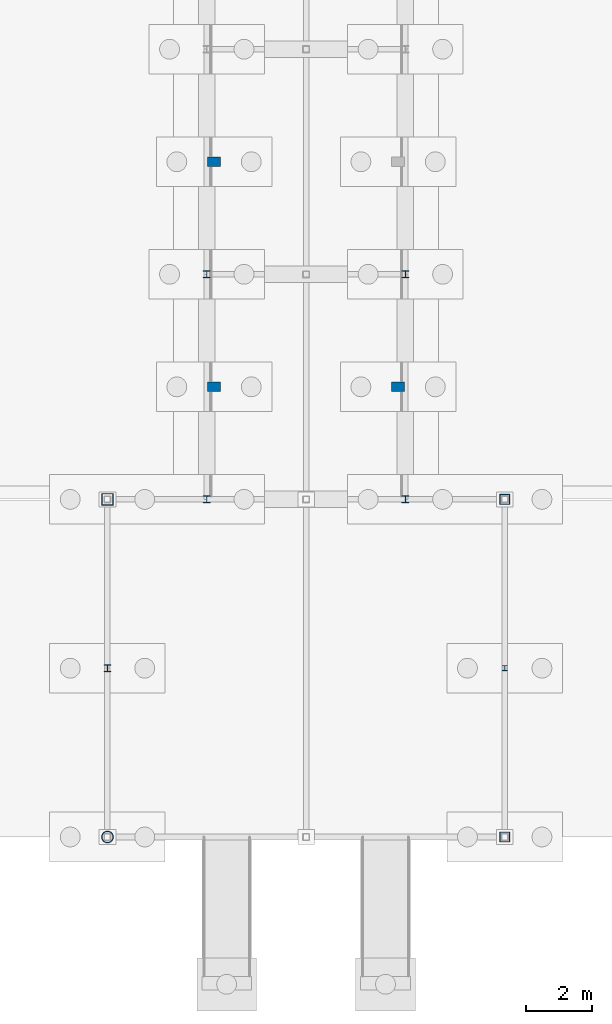
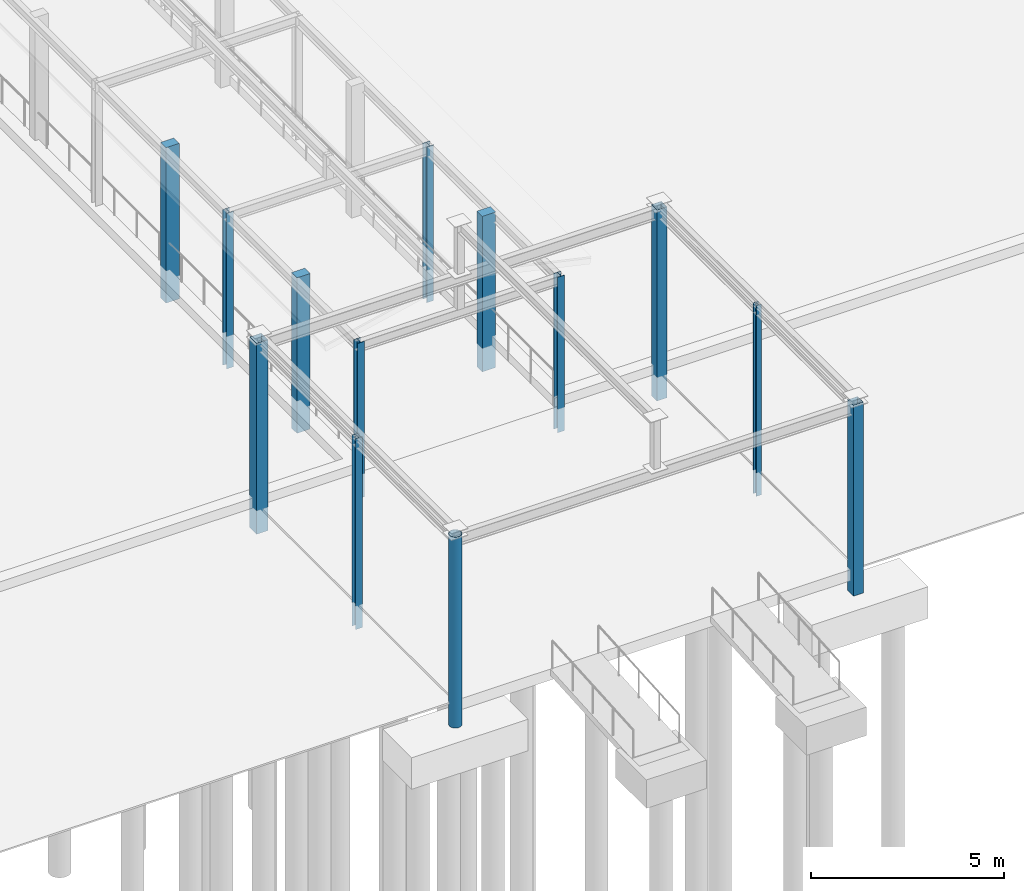
# One storey, part 7 of 137: 13 columns.
"""IFC4 building model written with IfcOpenShell, lengths in metres."""

from ifc_helpers import new_model, si_unit, direction, frame, origin, origin_2d, place, context, subcontext, project, spatial, rectangle, hollow_rectangle, hollow_circle, i_section, extrude, material, material_profile, profile_set, type_object, element, save


model = new_model("IFC4")

# Units and contexts
model_context = context("Model", 3, precision=1e-05, world=origin(), true_north=direction((0.0, 1.0)))
body_context = subcontext(model_context, "Body", "Model", "MODEL_VIEW")
ifc_project = project(units=[si_unit("LENGTHUNIT", "METRE"), si_unit("AREAUNIT", "SQUARE_METRE"), si_unit("VOLUMEUNIT", "CUBIC_METRE"), si_unit("PLANEANGLEUNIT", "RADIAN"), si_unit("MASSUNIT", "GRAM", prefix="KILO")], contexts=[model_context])

# Site, building, storey
site_placement = place(None, origin())
site = spatial("IfcSite", under=ifc_project, at=site_placement, CompositionType="ELEMENT")
building_placement = place(site_placement, origin())
building = spatial("IfcBuilding", under=site, at=building_placement, Name="Vondelvale Polytechnic", CompositionType="ELEMENT")
storey_placement = place(building_placement, origin())
storey = spatial("IfcBuildingStorey", under=building, at=storey_placement, Name="L00", CompositionType="ELEMENT", Elevation=0.0)

# Columns
ifc_material_1 = material(Name="Steel C350L0 (fy = 350 MPa)", Category="steel")
ifc_material_profile_1 = material_profile(ifc_material_1, hollow_circle(Radius=0.177734375, WallThickness=0.0126953125, at=origin_2d()), Name="355.6x12.7CHS")
ifc_profile_set_1 = profile_set([ifc_material_profile_1], Name="Steel C350L0 (fy = 350 MPa)")
column_type_1 = type_object("IfcColumnType", Name="COL-CHS355", PredefinedType="COLUMN", material=ifc_profile_set_1)
column_1_placement = place(storey_placement, frame((96.0, 0.0, -0.75), z_axis=(0.0, 0.0, 1.0), x_axis=(1.0, 0.0, 0.0)))
element("IfcColumn", 1, at=column_1_placement, inside=storey, type_object=column_type_1, Name="L00 main entrance canopy column (96.0,0.0)", PredefinedType="COLUMN", context=body_context, shape_type="SweptSolid", body=[
    extrude(hollow_circle(Radius=0.177734375, WallThickness=0.0126953125, at=origin_2d()), origin(), (0.0, 0.0, 1.0), 6.050048828125),
])
ifc_material_2 = material(Name="Glulam GL18 structural Tasmanian oak (fb = 42 MPa)", Category="wood")
ifc_material_profile_2 = material_profile(ifc_material_2, rectangle(XDim=0.280029296875, YDim=0.39990234375, at=origin_2d()), Name="GL-POST-280x400")
ifc_profile_set_2 = profile_set([ifc_material_profile_2], Name="Glulam GL18 structural Tasmanian oak (fb = 42 MPa)")
column_type_2 = type_object("IfcColumnType", Name="COL-GLULAM-280x400", PredefinedType="PILASTER", material=ifc_profile_set_2)
for number, where, z_axis, x_axis, name in (
    (2, (99.219970703125, 13.60009765625, -0.75), (0.0, 0.0, 1.0), (0.0, 1.0, 0.0), "L00 timber footbridge glulam post (99.22,13.6)"),
    (3, (99.219970703125, 20.39990234375, -0.75), (0.0, 0.0, 1.0), (0.0, 1.0, 0.0), "L00 timber footbridge glulam post (99.22,20.4)"),
    (4, (104.780029296875, 13.60009765625, -0.75), (0.0, 0.0, 1.0), (0.0, 1.0, 0.0), "L00 timber footbridge glulam post (104.78,13.6)"),
):
    element("IfcColumn", number, at=place(storey_placement, frame(where, z_axis=z_axis, x_axis=x_axis)), inside=storey, type_object=column_type_2, Name=name, PredefinedType="PILASTER", context=body_context, shape_type="SweptSolid", body=[
        extrude(rectangle(XDim=0.280029296875, YDim=0.39990234375, at=origin_2d()), origin(), (0.0, 0.0, 1.0), 4.929931640625),
    ])
ifc_material_profile_3 = material_profile(ifc_material_1, hollow_rectangle(XDim=0.300048828125, YDim=0.300048828125, WallThickness=0.010009765625, at=origin_2d()), Name="300x300x10.0SHS")
ifc_profile_set_3 = profile_set([ifc_material_profile_3], Name="Steel C350L0 (fy = 350 MPa)")
column_type_3 = type_object("IfcColumnType", Name="COL-SHS300", PredefinedType="COLUMN", material=ifc_profile_set_3)
for number, where, z_axis, x_axis, name in (
    (5, (108.0, 0.0, -0.75), (0.0, 0.0, 1.0), (1.0, 0.0, 0.0), "L00 main entrance canopy column (108.0,0.0)"),
    (6, (108.0, 10.199951171875, -0.75), (0.0, 0.0, 1.0), (1.0, 0.0, 0.0), "L00 main entrance canopy column (108.0,10.2)"),
):
    element("IfcColumn", number, at=place(storey_placement, frame(where, z_axis=z_axis, x_axis=x_axis)), inside=storey, type_object=column_type_3, Name=name, PredefinedType="COLUMN", context=body_context, shape_type="SweptSolid", body=[
        extrude(hollow_rectangle(XDim=0.300048828125, YDim=0.300048828125, WallThickness=0.010009765625, at=origin_2d()), origin(), (0.0, 0.0, 1.0), 6.050048828125),
    ])
ifc_material_profile_4 = material_profile(ifc_material_1, hollow_rectangle(XDim=0.35009765625, YDim=0.35009765625, WallThickness=0.010009765625, at=origin_2d()), Name="350x350x10.0SHS")
ifc_profile_set_4 = profile_set([ifc_material_profile_4], Name="Steel C350L0 (fy = 350 MPa)")
column_type_4 = type_object("IfcColumnType", Name="COL-SHS350", PredefinedType="COLUMN", material=ifc_profile_set_4)
column_2_placement = place(storey_placement, frame((96.0, 10.199951171875, -0.75), z_axis=(0.0, 0.0, 1.0), x_axis=(1.0, 0.0, 0.0)))
element("IfcColumn", 7, at=column_2_placement, inside=storey, type_object=column_type_4, Name="L00 main entrance canopy column (96.0,10.2)", PredefinedType="COLUMN", context=body_context, shape_type="SweptSolid", body=[
    extrude(hollow_rectangle(XDim=0.35009765625, YDim=0.35009765625, WallThickness=0.010009765625, at=origin_2d()), origin(), (0.0, 0.0, 1.0), 6.050048828125),
])
ifc_material_3 = material(Name="Steel 300PLUS (fy = 300 MPa)", Category="steel")
ifc_material_profile_5 = material_profile(ifc_material_3, i_section(OverallWidth=0.154052734375, OverallDepth=0.162109375, WebThickness=0.008056640625, FlangeThickness=0.011474609375, FilletRadius=0.0087890625, at=origin_2d()), Name="150UC37.2")
ifc_profile_set_5 = profile_set([ifc_material_profile_5], Name="Steel 300PLUS (fy = 300 MPa)")
column_type_5 = type_object("IfcColumnType", Name="COL-UC150", PredefinedType="COLUMN", material=ifc_profile_set_5)
column_3_placement = place(storey_placement, frame((108.0, 5.10009765625, -0.75), z_axis=(0.0, 0.0, 1.0), x_axis=(1.0, 0.0, 0.0)))
element("IfcColumn", 8, at=column_3_placement, inside=storey, type_object=column_type_5, Name="L00 gateway mid-bay column (108.0,5.1)", PredefinedType="COLUMN", context=body_context, shape_type="SweptSolid", body=[
    extrude(i_section(OverallWidth=0.154052734375, OverallDepth=0.162109375, WebThickness=0.008056640625, FlangeThickness=0.011474609375, FilletRadius=0.0087890625, at=origin_2d()), origin(), (0.0, 0.0, 1.0), 6.050048828125),
])
ifc_material_profile_6 = material_profile(ifc_material_3, i_section(OverallWidth=0.205078125, OverallDepth=0.2099609375, WebThickness=0.00927734375, FlangeThickness=0.01416015625, FilletRadius=0.011474609375, at=origin_2d()), Name="200UC59.5")
ifc_profile_set_6 = profile_set([ifc_material_profile_6], Name="Steel 300PLUS (fy = 300 MPa)")
column_type_6 = type_object("IfcColumnType", Name="COL-UC200", PredefinedType="COLUMN", material=ifc_profile_set_6)
for number, where, z_axis, x_axis, name in (
    (9, (99.0, 10.199951171875, -0.75), (0.0, 0.0, 1.0), (1.0, 0.0, 0.0), "L00 entrance footbridge pier column (99.0,10.2)"),
    (10, (99.0, 17.0, -0.75), (0.0, 0.0, 1.0), (1.0, 0.0, 0.0), "L00 entrance footbridge pier column (99.0,17.0)"),
    (11, (105.0, 10.199951171875, -0.75), (0.0, 0.0, 1.0), (1.0, 0.0, 0.0), "L00 entrance footbridge pier column (105.0,10.2)"),
    (12, (105.0, 17.0, -0.75), (0.0, 0.0, 1.0), (1.0, 0.0, 0.0), "L00 entrance footbridge pier column (105.0,17.0)"),
):
    element("IfcColumn", number, at=place(storey_placement, frame(where, z_axis=z_axis, x_axis=x_axis)), inside=storey, type_object=column_type_6, Name=name, PredefinedType="COLUMN", context=body_context, shape_type="SweptSolid", body=[
        extrude(i_section(OverallWidth=0.205078125, OverallDepth=0.2099609375, WebThickness=0.00927734375, FlangeThickness=0.01416015625, FilletRadius=0.011474609375, at=origin_2d()), origin(), (0.0, 0.0, 1.0), 4.929931640625),
    ])
ifc_material_profile_7 = material_profile(ifc_material_3, i_section(OverallWidth=0.202880859375, OverallDepth=0.202880859375, WebThickness=0.00732421875, FlangeThickness=0.010986328125, FilletRadius=0.011474609375, at=origin_2d()), Name="200UC46.2")
ifc_profile_set_7 = profile_set([ifc_material_profile_7], Name="Steel 300PLUS (fy = 300 MPa)")
column_type_7 = type_object("IfcColumnType", Name="COL-UC200L", PredefinedType="COLUMN", material=ifc_profile_set_7)
column_4_placement = place(storey_placement, frame((96.0, 5.10009765625, -0.75), z_axis=(0.0, 0.0, 1.0), x_axis=(1.0, 0.0, 0.0)))
element("IfcColumn", 13, at=column_4_placement, inside=storey, type_object=column_type_7, Name="L00 gateway mid-bay column (96.0,5.1)", PredefinedType="COLUMN", context=body_context, shape_type="SweptSolid", body=[
    extrude(i_section(OverallWidth=0.202880859375, OverallDepth=0.202880859375, WebThickness=0.00732421875, FlangeThickness=0.010986328125, FilletRadius=0.011474609375, at=origin_2d()), origin(), (0.0, 0.0, 1.0), 6.050048828125),
])

save(model, "model.ifc")
